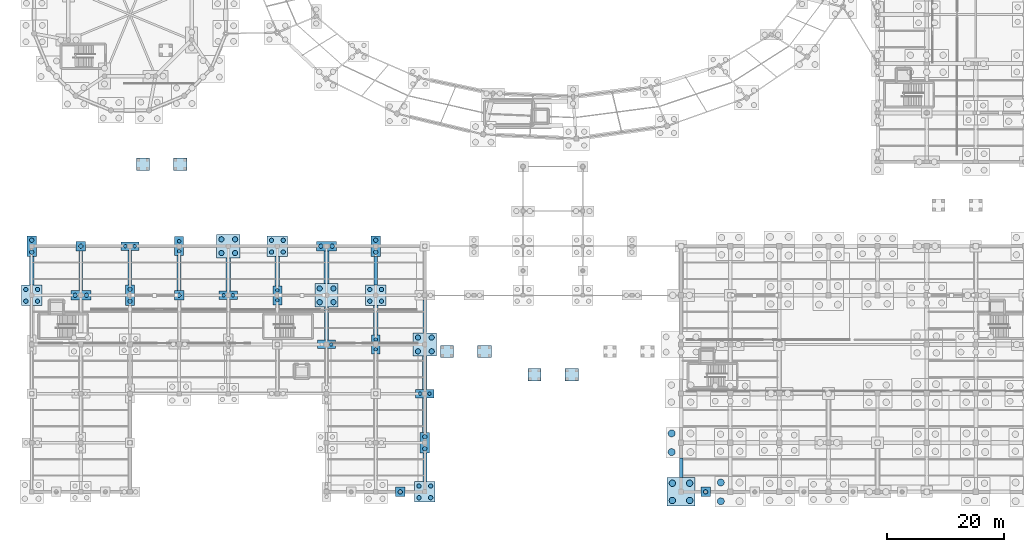
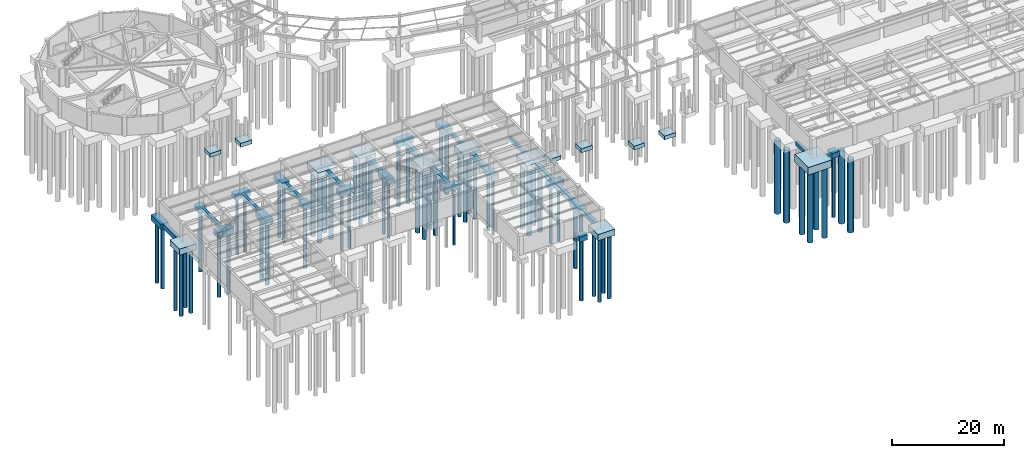
# One storey, part 2 of 38: 65 piles, 46 footings.
"""IFC4 building model written with IfcOpenShell, lengths in metres."""

import ifcopenshell
import ifcopenshell.guid

model = None  # the IFC model being written
_history = None  # IfcOwnerHistory: only IFC2X3 demands one
_inside = {}  # id of a spatial element -> (the spatial element, [elements in it])
_under = {}  # id of a project, library or spatial element -> (it, [spatial elements below it])
_declared = {}  # id of a project -> (the project, [libraries it declares])
_typed = {}  # id of a type object -> (the type object, [elements of that type])
_made_of = {}  # id of a material, layer set ... -> (it, [elements and type objects made of it])


def new_model(schema):
    """Start an empty IFC model of exactly this schema.

    Asked for "IFC4X3", IfcOpenShell would pick the latest addendum, in which some entities
    have other attributes; the version numbers below select the first issue.
    IFC2X3 requires an IfcOwnerHistory on every rooted entity: one is made here for all.
    """
    global model, _history
    if schema == "IFC4X3":
        model = ifcopenshell.file(schema_version=(4, 3, 0, 0))
    else:
        model = ifcopenshell.file(schema=schema)
    _inside.clear()
    _under.clear()
    _declared.clear()
    _typed.clear()
    _made_of.clear()
    _history = None
    if model.schema == "IFC2X3":
        org = make("IfcOrganization", Name="unknown")
        user = make(
            "IfcPersonAndOrganization",
            ThePerson=make("IfcPerson", FamilyName="unknown"),
            TheOrganization=org,
        )
        app = make(
            "IfcApplication",
            ApplicationDeveloper=org,
            Version="unknown",
            ApplicationFullName="unknown",
            ApplicationIdentifier="unknown",
        )
        _history = make(
            "IfcOwnerHistory",
            OwningUser=user,
            OwningApplication=app,
            ChangeAction="ADDED",
            CreationDate=0,
        )
    return model


def make(cls, **values):
    """One entity of the class cls with the attributes given. An attribute that is None is left unset."""
    return model.create_entity(
        cls, **{name: value for name, value in values.items() if value is not None}
    )


def rooted(cls, **values):
    """An entity with a GlobalId (a new one), such as an element, a storey or a relation."""
    return make(cls, GlobalId=ifcopenshell.guid.new(), OwnerHistory=_history, **values)


def si_unit(unit_type, name, prefix=None):
    """IfcSIUnit, for example si_unit("LENGTHUNIT", "METRE", prefix="MILLI")."""
    return make("IfcSIUnit", UnitType=unit_type, Prefix=prefix, Name=name)


def assignment(units):
    """IfcUnitAssignment: the units of a project."""
    return None if units is None else make("IfcUnitAssignment", Units=units)


def point(xyz):
    """IfcCartesianPoint."""
    return None if xyz is None else make("IfcCartesianPoint", Coordinates=xyz)


def direction(xyz):
    """IfcDirection."""
    return None if xyz is None else make("IfcDirection", DirectionRatios=xyz)


def frame(location, z_axis=None, x_axis=None):
    """IfcAxis2Placement3D, a coordinate frame: its origin and axes. An axis left out is left unset."""
    return make(
        "IfcAxis2Placement3D",
        Location=point(location),
        Axis=direction(z_axis),
        RefDirection=direction(x_axis),
    )


def frame_2d(location, x_axis=None):
    """IfcAxis2Placement2D, a coordinate frame in the plane: its origin and x axis."""
    return make(
        "IfcAxis2Placement2D", Location=point(location), RefDirection=direction(x_axis)
    )


def origin():
    """The frame at (0, 0, 0) with its axes left unset."""
    return frame((0.0, 0.0, 0.0))


def origin_2d():
    """The frame at (0, 0) in the plane with its x axis left unset."""
    return frame_2d((0.0, 0.0))


def place(relative_to, where):
    """IfcLocalPlacement: puts the frame where relative to a parent placement (None: the world)."""
    return make(
        "IfcLocalPlacement", PlacementRelTo=relative_to, RelativePlacement=where
    )


def context(
    kind, dimensions, precision=None, world=None, true_north=None, identifier=None
):
    """IfcGeometricRepresentationContext, for example the 3D "Model" context."""
    return make(
        "IfcGeometricRepresentationContext",
        ContextIdentifier=identifier,
        ContextType=kind,
        CoordinateSpaceDimension=dimensions,
        Precision=precision,
        WorldCoordinateSystem=world,
        TrueNorth=true_north,
    )


def subcontext(parent, identifier, kind, view, scale=None):
    """IfcGeometricRepresentationSubContext, for example "Body" below "Model"."""
    return make(
        "IfcGeometricRepresentationSubContext",
        ContextIdentifier=identifier,
        ContextType=kind,
        ParentContext=parent,
        TargetScale=scale,
        TargetView=view,
    )


def project(units=None, contexts=None):
    """IfcProject with its units and contexts."""
    return rooted(
        "IfcProject",
        Name="project",
        RepresentationContexts=contexts,
        UnitsInContext=assignment(units),
    )


def spatial(cls, under=None, at=None, **own):
    """A site, building, storey or space (cls), placed at a placement, below another one or the project."""
    s = rooted(cls, ObjectPlacement=at, **own)
    if under is not None:
        _under.setdefault(under.id(), (under, []))[1].append(s)
    return s


def polyline(points):
    """IfcPolyline through the points."""
    return make("IfcPolyline", Points=[point(p) for p in points])


def profile(cls, at=None, kind="AREA", **sizes):
    """A parametric profile (cls). Its sizes go by their IFC names, for example OverallWidth=200.0."""
    return make(cls, ProfileType=kind, Position=at, **sizes)


def rectangle(**sizes):
    """IfcRectangleProfileDef."""
    return profile("IfcRectangleProfileDef", **sizes)


def circle(**sizes):
    """IfcCircleProfileDef."""
    return profile("IfcCircleProfileDef", **sizes)


def outline(outer, holes=None, kind="AREA"):
    """IfcArbitraryClosedProfileDef: a profile drawn as a closed curve; with holes, ...WithVoids."""
    if holes is None:
        return make("IfcArbitraryClosedProfileDef", ProfileType=kind, OuterCurve=outer)
    return make(
        "IfcArbitraryProfileDefWithVoids",
        ProfileType=kind,
        OuterCurve=outer,
        InnerCurves=holes,
    )


def extrude(swept, where, along, depth):
    """IfcExtrudedAreaSolid: the profile swept, set in the frame where, extruded along a direction by depth."""
    return make(
        "IfcExtrudedAreaSolid",
        SweptArea=swept,
        Position=where,
        ExtrudedDirection=direction(along),
        Depth=depth,
    )


def shape(context_of_items, identifier, shape_type, items):
    """IfcShapeRepresentation: the items that make up one representation, for example the "Body"."""
    return make(
        "IfcShapeRepresentation",
        ContextOfItems=context_of_items,
        RepresentationIdentifier=identifier,
        RepresentationType=shape_type,
        Items=items,
    )


def material(Name=None, Category=None):
    """IfcMaterial."""
    return make("IfcMaterial", Name=Name, Category=Category)


def material_profile(
    of_material, cross_section, Name=None, Category=None, Priority=None
):
    """IfcMaterialProfile: a cross section and its material."""
    return make(
        "IfcMaterialProfile",
        Name=Name,
        Material=of_material,
        Profile=cross_section,
        Priority=Priority,
        Category=Category,
    )


def profile_set(profiles, Name=None, composite=None):
    """IfcMaterialProfileSet."""
    return make(
        "IfcMaterialProfileSet",
        Name=Name,
        MaterialProfiles=profiles,
        CompositeProfile=composite,
    )


def made_of(thing, what):
    """Note that an element or type object is made of a material, layer set ...; save() writes the relation."""
    if what is not None:
        _made_of.setdefault(what.id(), (what, []))[1].append(thing)
    return thing


def type_object(cls, material=None, **own):
    """A type object (cls), such as IfcWallType, which elements share."""
    return made_of(rooted(cls, **own), material)


def element(
    cls,
    number,
    at=None,
    inside=None,
    cuts=None,
    type_object=None,
    material=None,
    context=None,
    identifier="Body",
    shape_type=None,
    held_by="IfcProductDefinitionShape",
    body=None,
    shapes=None,
    **own,
):
    """One element of the class cls, such as IfcWall. Its Tag is "e" and its number.

    at: its placement. inside: the storey or other place that contains it. cuts: it is an
    opening in that element (IfcRelVoidsElement). A single representation is given by context,
    identifier, shape_type and body (its items); several are given by shapes. held_by: the class
    of the entity that holds the representations. save() writes the other relations.
    """
    e = rooted(cls, Tag="e%d" % number, ObjectPlacement=at, **own)
    if body is not None:
        shapes = [shape(context, identifier, shape_type, body)]
    if shapes is not None:
        e.Representation = make(held_by, Representations=shapes)
    if inside is not None:
        _inside.setdefault(inside.id(), (inside, []))[1].append(e)
    if cuts is not None:
        rooted(
            "IfcRelVoidsElement", RelatingBuildingElement=cuts, RelatedOpeningElement=e
        )
    if type_object is not None:
        _typed.setdefault(type_object.id(), (type_object, []))[1].append(e)
    return made_of(e, material)


def aggregate(whole, parts):
    """IfcRelAggregates: a whole, such as a stair, and the parts it consists of."""
    return rooted("IfcRelAggregates", RelatingObject=whole, RelatedObjects=parts)


def save(model, path):
    """Write the relations noted so far, then the file.

    IfcRelAggregates (storeys below a building ...), IfcRelContainedInSpatialStructure (elements
    in a storey), IfcRelDefinesByType, IfcRelAssociatesMaterial and IfcRelDeclares: one each for
    every whole, place, type object, material and project.
    """
    for whole, parts in _under.values():
        aggregate(whole, parts)
    for where, things in _inside.values():
        rooted(
            "IfcRelContainedInSpatialStructure",
            RelatedElements=things,
            RelatingStructure=where,
        )
    for kind, things in _typed.values():
        rooted("IfcRelDefinesByType", RelatedObjects=things, RelatingType=kind)
    for what, things in _made_of.values():
        rooted("IfcRelAssociatesMaterial", RelatedObjects=things, RelatingMaterial=what)
    for by, libraries in _declared.values():
        rooted("IfcRelDeclares", RelatingContext=by, RelatedDefinitions=libraries)
    model.write(path)


model = new_model("IFC4")

# Units and contexts
model_context = context("Model", 3, precision=1e-05, world=origin(), true_north=direction((0.0, 1.0)))
body_context = subcontext(model_context, "Body", "Model", "MODEL_VIEW")
ifc_project = project(units=[si_unit("LENGTHUNIT", "METRE"), si_unit("AREAUNIT", "SQUARE_METRE"), si_unit("VOLUMEUNIT", "CUBIC_METRE"), si_unit("PLANEANGLEUNIT", "RADIAN"), si_unit("MASSUNIT", "GRAM", prefix="KILO"), si_unit("THERMODYNAMICTEMPERATUREUNIT", "KELVIN"), si_unit("POWERUNIT", "WATT")], contexts=[model_context])

# Site, building, storey
site_placement = place(None, origin())
site = spatial("IfcSite", under=ifc_project, at=site_placement, CompositionType="ELEMENT")
building_placement = place(site_placement, origin())
building = spatial("IfcBuilding", under=site, at=building_placement, Name="Darbajah Civic Hall", CompositionType="ELEMENT")
storey_placement = place(building_placement, frame((0.0, 0.0, -4.199951171875)))
storey = spatial("IfcBuildingStorey", under=building, at=storey_placement, Name="B01", CompositionType="ELEMENT", Elevation=-4.199951171875)

# Piles
ifc_material = material(Name="Concrete C45/55", Category="concrete")
ifc_material_profile_1 = material_profile(ifc_material, circle(Radius=0.550048828125, at=origin_2d()), Name="BORED PILE D1100")
ifc_profile_set_1 = profile_set([ifc_material_profile_1], Name="Concrete C45/55")
pile_type_1 = type_object("IfcPileType", Name="BORED PILE D1100", PredefinedType="BORED", material=ifc_profile_set_1)
for number, where, z_axis, x_axis, name in (
    (1, (109.52490234375, -1.47509765625, -1.550048828125), (0.0, 0.0, -1.0), (1.0, 0.0, 0.0), "B01 bored pile P-1100 V3-00-00-1"),
    (2, (112.47509765625, -1.47509765625, -1.550048828125), (0.0, 0.0, -1.0), (1.0, 0.0, 0.0), "B01 bored pile P-1100 V3-00-00-2"),
    (3, (109.52490234375, 1.47509765625, -1.550048828125), (0.0, 0.0, -1.0), (1.0, 0.0, 0.0), "B01 bored pile P-1100 V3-00-00-3"),
    (4, (112.47509765625, 1.47509765625, -1.550048828125), (0.0, 0.0, -1.0), (1.0, 0.0, 0.0), "B01 bored pile P-1100 V3-00-00-4"),
):
    element("IfcPile", number, at=place(storey_placement, frame(where, z_axis=z_axis, x_axis=x_axis)), inside=storey, type_object=pile_type_1, Name=name, PredefinedType="BORED", context=body_context, shape_type="SweptSolid", body=[
        extrude(circle(Radius=0.550048828125, at=origin_2d()), origin(), (0.0, 0.0, 1.0), 15.5),
    ])
ifc_material_profile_2 = material_profile(ifc_material, circle(Radius=0.60009765625, at=origin_2d()), Name="BORED PILE D1200")
ifc_profile_set_2 = profile_set([ifc_material_profile_2], Name="Concrete C45/55")
pile_type_2 = type_object("IfcPileType", Name="BORED PILE D1200", PredefinedType="BORED", material=ifc_profile_set_2)
for number, where, z_axis, x_axis, name in (
    (5, (109.39990234375, 6.800048828125, -1.650146484375), (0.0, 0.0, -1.0), (1.0, 0.0, 0.0), "B01 bored pile P-1200 V3-00-01-1"),
    (6, (109.39990234375, 10.0, -1.650146484375), (0.0, 0.0, -1.0), (1.0, 0.0, 0.0), "B01 bored pile P-1200 V3-00-01-3"),
    (7, (117.800048828125, -1.60009765625, -1.650146484375), (0.0, 0.0, -1.0), (1.0, 0.0, 0.0), "B01 bored pile P-1200 V3-01-00-1"),
    (8, (117.800048828125, 1.60009765625, -1.650146484375), (0.0, 0.0, -1.0), (1.0, 0.0, 0.0), "B01 bored pile P-1200 V3-01-00-3"),
):
    element("IfcPile", number, at=place(storey_placement, frame(where, z_axis=z_axis, x_axis=x_axis)), inside=storey, type_object=pile_type_2, Name=name, PredefinedType="BORED", context=body_context, shape_type="SweptSolid", body=[
        extrude(circle(Radius=0.60009765625, at=origin_2d()), origin(), (0.0, 0.0, 1.0), 16.0),
    ])
ifc_material_profile_3 = material_profile(ifc_material, circle(Radius=0.300048828125, at=origin_2d()), Name="BORED PILE D600")
ifc_profile_set_3 = profile_set([ifc_material_profile_3], Name="Concrete C45/55")
pile_type_3 = type_object("IfcPileType", Name="BORED PILE D600", PredefinedType="BORED", material=ifc_profile_set_3)
for number, where, z_axis, x_axis, name in (
    (9, (16.0, 42.0, -0.949951171875), (0.0, 0.0, -1.0), (1.0, 0.0, 0.0), "B01 bored pile P-600 V5-02-05-1"),
    (10, (17.60009765625, 42.0, -0.949951171875), (0.0, 0.0, -1.0), (1.0, 0.0, 0.0), "B01 bored pile P-600 V5-02-05-2"),
    (11, (25.199951171875, 41.14990234375, -1.0), (0.0, 0.0, -1.0), (1.0, 0.0, 0.0), "B01 bored pile P-600 V5-03-05-1"),
    (12, (25.199951171875, 42.85009765625, -1.0), (0.0, 0.0, -1.0), (1.0, 0.0, 0.0), "B01 bored pile P-600 V5-03-05-2"),
    (13, (32.800048828125, 33.60009765625, -0.949951171875), (0.0, 0.0, -1.0), (1.0, 0.0, 0.0), "B01 bored pile P-600 V5-04-04-1"),
    (14, (34.39990234375, 33.60009765625, -0.949951171875), (0.0, 0.0, -1.0), (1.0, 0.0, 0.0), "B01 bored pile P-600 V5-04-04-2"),
    (15, (42.0, 32.75, -1.0), (0.0, 0.0, -1.0), (1.0, 0.0, 0.0), "B01 bored pile P-600 V5-05-04-1"),
    (16, (42.0, 34.449951171875, -1.0), (0.0, 0.0, -1.0), (1.0, 0.0, 0.0), "B01 bored pile P-600 V5-05-04-2"),
    (17, (51.199951171875, 25.199951171875, -0.949951171875), (0.0, 0.0, -1.0), (1.0, 0.0, 0.0), "B01 bored pile P-600 V5-06-03-2"),
    (18, (58.800048828125, 24.35009765625, -1.0), (0.0, 0.0, -1.0), (1.0, 0.0, 0.0), "B01 bored pile P-600 V5-07-03-1"),
    (19, (58.800048828125, 26.050048828125, -1.0), (0.0, 0.0, -1.0), (1.0, 0.0, 0.0), "B01 bored pile P-600 V5-07-03-2"),
    (20, (66.39990234375, 16.800048828125, -0.949951171875), (0.0, 0.0, -1.0), (1.0, 0.0, 0.0), "B01 bored pile P-600 V5-08-02-1"),
    (21, (68.0, 16.800048828125, -0.949951171875), (0.0, 0.0, -1.0), (1.0, 0.0, 0.0), "B01 bored pile P-600 V5-08-02-2"),
):
    element("IfcPile", number, at=place(storey_placement, frame(where, z_axis=z_axis, x_axis=x_axis)), inside=storey, type_object=pile_type_3, Name=name, PredefinedType="BORED", context=body_context, shape_type="SweptSolid", body=[
        extrude(circle(Radius=0.300048828125, at=origin_2d()), origin(), (0.0, 0.0, 1.0), 12.5),
    ])
ifc_material_profile_4 = material_profile(ifc_material, circle(Radius=0.375, at=origin_2d()), Name="BORED PILE D750")
ifc_profile_set_4 = profile_set([ifc_material_profile_4], Name="Concrete C45/55")
pile_type_4 = type_object("IfcPileType", Name="BORED PILE D750", PredefinedType="BORED", material=ifc_profile_set_4)
for number, where, z_axis, x_axis, name in (
    (22, (-1.0, 32.60009765625, -1.25), (0.0, 0.0, -1.0), (1.0, 0.0, 0.0), "B01 bored pile P-750 V5-00-04-1"),
    (23, (1.0, 32.60009765625, -1.25), (0.0, 0.0, -1.0), (1.0, 0.0, 0.0), "B01 bored pile P-750 V5-00-04-2"),
    (24, (-1.0, 34.60009765625, -1.25), (0.0, 0.0, -1.0), (1.0, 0.0, 0.0), "B01 bored pile P-750 V5-00-04-3"),
    (25, (1.0, 34.60009765625, -1.25), (0.0, 0.0, -1.0), (1.0, 0.0, 0.0), "B01 bored pile P-750 V5-00-04-4"),
):
    element("IfcPile", number, at=place(storey_placement, frame(where, z_axis=z_axis, x_axis=x_axis)), inside=storey, type_object=pile_type_4, Name=name, PredefinedType="BORED", context=body_context, shape_type="SweptSolid", body=[
        extrude(circle(Radius=0.375, at=origin_2d()), origin(), (0.0, 0.0, 1.0), 14.0),
    ])
for number, where, z_axis, x_axis, name in (
    (26, (0.0, 40.97509765625, -1.150146484375), (0.0, 0.0, -1.0), (1.0, 0.0, 0.0), "B01 bored pile P-750 V5-00-05-1"),
    (27, (0.0, 43.02490234375, -1.150146484375), (0.0, 0.0, -1.0), (1.0, 0.0, 0.0), "B01 bored pile P-750 V5-00-05-2"),
    (28, (7.425048828125, 33.60009765625, -1.10009765625), (0.0, 0.0, -1.0), (1.0, 0.0, 0.0), "B01 bored pile P-750 V5-01-04-1"),
    (29, (9.375, 33.60009765625, -1.10009765625), (0.0, 0.0, -1.0), (1.0, 0.0, 0.0), "B01 bored pile P-750 V5-01-04-2"),
    (30, (8.39990234375, 42.0, -1.0), (0.0, 0.0, -1.0), (1.0, 0.0, 0.0), "B01 bored pile P-750 V5-01-05-1"),
    (31, (16.800048828125, 32.574951171875, -1.150146484375), (0.0, 0.0, -1.0), (1.0, 0.0, 0.0), "B01 bored pile P-750 V5-02-04-1"),
    (32, (16.800048828125, 34.625, -1.150146484375), (0.0, 0.0, -1.0), (1.0, 0.0, 0.0), "B01 bored pile P-750 V5-02-04-2"),
    (33, (25.199951171875, 33.60009765625, -1.0), (0.0, 0.0, -1.0), (1.0, 0.0, 0.0), "B01 bored pile P-750 V5-03-04-1"),
):
    element("IfcPile", number, at=place(storey_placement, frame(where, z_axis=z_axis, x_axis=x_axis)), inside=storey, type_object=pile_type_4, Name=name, PredefinedType="BORED", context=body_context, shape_type="SweptSolid", body=[
        extrude(circle(Radius=0.375, at=origin_2d()), origin(), (0.0, 0.0, 1.0), 13.5),
    ])
for number, where, z_axis, x_axis, name in (
    (34, (41.0, 41.0, -1.25), (0.0, 0.0, -1.0), (1.0, 0.0, 0.0), "B01 bored pile P-750 V5-05-05-1"),
    (35, (43.0, 41.0, -1.25), (0.0, 0.0, -1.0), (1.0, 0.0, 0.0), "B01 bored pile P-750 V5-05-05-2"),
    (36, (41.0, 43.0, -1.25), (0.0, 0.0, -1.0), (1.0, 0.0, 0.0), "B01 bored pile P-750 V5-05-05-3"),
    (37, (43.0, 43.0, -1.25), (0.0, 0.0, -1.0), (1.0, 0.0, 0.0), "B01 bored pile P-750 V5-05-05-4"),
):
    element("IfcPile", number, at=place(storey_placement, frame(where, z_axis=z_axis, x_axis=x_axis)), inside=storey, type_object=pile_type_4, Name=name, PredefinedType="BORED", context=body_context, shape_type="SweptSolid", body=[
        extrude(circle(Radius=0.375, at=origin_2d()), origin(), (0.0, 0.0, 1.0), 14.0),
    ])
for number, where, z_axis, x_axis, name in (
    (38, (49.425048828125, 42.0, -1.10009765625), (0.0, 0.0, -1.0), (1.0, 0.0, 0.0), "B01 bored pile P-750 V5-06-05-1"),
    (39, (51.375, 42.0, -1.10009765625), (0.0, 0.0, -1.0), (1.0, 0.0, 0.0), "B01 bored pile P-750 V5-06-05-2"),
):
    element("IfcPile", number, at=place(storey_placement, frame(where, z_axis=z_axis, x_axis=x_axis)), inside=storey, type_object=pile_type_4, Name=name, PredefinedType="BORED", context=body_context, shape_type="SweptSolid", body=[
        extrude(circle(Radius=0.375, at=origin_2d()), origin(), (0.0, 0.0, 1.0), 13.5),
    ])
for number, where, z_axis, x_axis, name in (
    (40, (57.800048828125, 32.60009765625, -1.25), (0.0, 0.0, -1.0), (1.0, 0.0, 0.0), "B01 bored pile P-750 V5-07-04-1"),
    (41, (59.800048828125, 32.60009765625, -1.25), (0.0, 0.0, -1.0), (1.0, 0.0, 0.0), "B01 bored pile P-750 V5-07-04-2"),
    (42, (57.800048828125, 34.60009765625, -1.25), (0.0, 0.0, -1.0), (1.0, 0.0, 0.0), "B01 bored pile P-750 V5-07-04-3"),
    (43, (59.800048828125, 34.60009765625, -1.25), (0.0, 0.0, -1.0), (1.0, 0.0, 0.0), "B01 bored pile P-750 V5-07-04-4"),
):
    element("IfcPile", number, at=place(storey_placement, frame(where, z_axis=z_axis, x_axis=x_axis)), inside=storey, type_object=pile_type_4, Name=name, PredefinedType="BORED", context=body_context, shape_type="SweptSolid", body=[
        extrude(circle(Radius=0.375, at=origin_2d()), origin(), (0.0, 0.0, 1.0), 14.0),
    ])
for number, where, z_axis, x_axis, name in (
    (44, (58.800048828125, 40.97509765625, -1.150146484375), (0.0, 0.0, -1.0), (1.0, 0.0, 0.0), "B01 bored pile P-750 V5-07-05-1"),
    (45, (58.800048828125, 43.02490234375, -1.150146484375), (0.0, 0.0, -1.0), (1.0, 0.0, 0.0), "B01 bored pile P-750 V5-07-05-2"),
):
    element("IfcPile", number, at=place(storey_placement, frame(where, z_axis=z_axis, x_axis=x_axis)), inside=storey, type_object=pile_type_4, Name=name, PredefinedType="BORED", context=body_context, shape_type="SweptSolid", body=[
        extrude(circle(Radius=0.375, at=origin_2d()), origin(), (0.0, 0.0, 1.0), 13.5),
    ])
for number, where, z_axis, x_axis, name in (
    (46, (66.199951171875, -1.0, -1.25), (0.0, 0.0, -1.0), (1.0, 0.0, 0.0), "B01 bored pile P-750 V5-08-00-1"),
    (47, (68.199951171875, -1.0, -1.25), (0.0, 0.0, -1.0), (1.0, 0.0, 0.0), "B01 bored pile P-750 V5-08-00-2"),
    (48, (66.199951171875, 1.0, -1.25), (0.0, 0.0, -1.0), (1.0, 0.0, 0.0), "B01 bored pile P-750 V5-08-00-3"),
    (49, (68.199951171875, 1.0, -1.25), (0.0, 0.0, -1.0), (1.0, 0.0, 0.0), "B01 bored pile P-750 V5-08-00-4"),
):
    element("IfcPile", number, at=place(storey_placement, frame(where, z_axis=z_axis, x_axis=x_axis)), inside=storey, type_object=pile_type_4, Name=name, PredefinedType="BORED", context=body_context, shape_type="SweptSolid", body=[
        extrude(circle(Radius=0.375, at=origin_2d()), origin(), (0.0, 0.0, 1.0), 14.0),
    ])
for number, where, z_axis, x_axis, name in (
    (50, (67.199951171875, 7.375, -1.150146484375), (0.0, 0.0, -1.0), (1.0, 0.0, 0.0), "B01 bored pile P-750 V5-08-01-1"),
    (51, (67.199951171875, 9.425048828125, -1.150146484375), (0.0, 0.0, -1.0), (1.0, 0.0, 0.0), "B01 bored pile P-750 V5-08-01-2"),
    (52, (115.199951171875, 0.0, -1.0), (0.0, 0.0, -1.0), (1.0, 0.0, 0.0), "B01 bored pile PIL-V3S-1"),
    (53, (63.0, 0.0, -1.0), (0.0, 0.0, -1.0), (1.0, 0.0, 0.0), "B01 bored pile PIL-V5S-4"),
):
    element("IfcPile", number, at=place(storey_placement, frame(where, z_axis=z_axis, x_axis=x_axis)), inside=storey, type_object=pile_type_4, Name=name, PredefinedType="BORED", context=body_context, shape_type="SweptSolid", body=[
        extrude(circle(Radius=0.375, at=origin_2d()), origin(), (0.0, 0.0, 1.0), 13.5),
    ])
ifc_material_profile_5 = material_profile(ifc_material, circle(Radius=0.449951171875, at=origin_2d()), Name="BORED PILE D900")
ifc_profile_set_5 = profile_set([ifc_material_profile_5], Name="Concrete C45/55")
pile_type_5 = type_object("IfcPileType", Name="BORED PILE D900", PredefinedType="BORED", material=ifc_profile_set_5)
for number, where, z_axis, x_axis, name in (
    (54, (32.425048828125, 40.824951171875, -1.35009765625), (0.0, 0.0, -1.0), (1.0, 0.0, 0.0), "B01 bored pile P-900 V5-04-05-1"),
    (55, (34.77490234375, 40.824951171875, -1.35009765625), (0.0, 0.0, -1.0), (1.0, 0.0, 0.0), "B01 bored pile P-900 V5-04-05-2"),
    (56, (32.425048828125, 43.175048828125, -1.35009765625), (0.0, 0.0, -1.0), (1.0, 0.0, 0.0), "B01 bored pile P-900 V5-04-05-3"),
    (57, (34.77490234375, 43.175048828125, -1.35009765625), (0.0, 0.0, -1.0), (1.0, 0.0, 0.0), "B01 bored pile P-900 V5-04-05-4"),
    (58, (49.22509765625, 32.425048828125, -1.35009765625), (0.0, 0.0, -1.0), (1.0, 0.0, 0.0), "B01 bored pile P-900 V5-06-04-1"),
    (59, (51.574951171875, 32.425048828125, -1.35009765625), (0.0, 0.0, -1.0), (1.0, 0.0, 0.0), "B01 bored pile P-900 V5-06-04-2"),
    (60, (49.22509765625, 34.77490234375, -1.35009765625), (0.0, 0.0, -1.0), (1.0, 0.0, 0.0), "B01 bored pile P-900 V5-06-04-3"),
    (61, (51.574951171875, 34.77490234375, -1.35009765625), (0.0, 0.0, -1.0), (1.0, 0.0, 0.0), "B01 bored pile P-900 V5-06-04-4"),
    (62, (66.02490234375, 24.02490234375, -1.35009765625), (0.0, 0.0, -1.0), (1.0, 0.0, 0.0), "B01 bored pile P-900 V5-08-03-1"),
    (63, (68.375, 24.02490234375, -1.35009765625), (0.0, 0.0, -1.0), (1.0, 0.0, 0.0), "B01 bored pile P-900 V5-08-03-2"),
    (64, (66.02490234375, 26.375, -1.35009765625), (0.0, 0.0, -1.0), (1.0, 0.0, 0.0), "B01 bored pile P-900 V5-08-03-3"),
    (65, (68.375, 26.375, -1.35009765625), (0.0, 0.0, -1.0), (1.0, 0.0, 0.0), "B01 bored pile P-900 V5-08-03-4"),
):
    element("IfcPile", number, at=place(storey_placement, frame(where, z_axis=z_axis, x_axis=x_axis)), inside=storey, type_object=pile_type_5, Name=name, PredefinedType="BORED", context=body_context, shape_type="SweptSolid", body=[
        extrude(circle(Radius=0.449951171875, at=origin_2d()), origin(), (0.0, 0.0, 1.0), 14.5),
    ])

# Footings
footing_type_1 = type_object("IfcFootingType", Name="Ground Strip Footing 550x800", PredefinedType="STRIP_FOOTING", material=ifc_material)
footing_1_placement = place(storey_placement, frame((0.0, 0.0, -0.800048828125)))
element("IfcFooting", 66, at=footing_1_placement, inside=storey, type_object=footing_type_1, Name="B01 ground strip footing SF-06", PredefinedType="STRIP_FOOTING", context=body_context, shape_type="SweptSolid", body=[
    extrude(outline(polyline([(8.675048828125, 34.405029296875), (8.675048828125, 41.195068359375), (8.125, 41.195068359375), (8.125, 34.405029296875), (8.675048828125, 34.405029296875)])), origin(), (0.0, 0.0, 1.0), 0.800048828125),
])
footing_2_placement = place(storey_placement, frame((0.0, 0.0, -0.800048828125)))
element("IfcFooting", 67, at=footing_2_placement, inside=storey, type_object=footing_type_1, Name="B01 ground strip footing SF-06", PredefinedType="STRIP_FOOTING", context=body_context, shape_type="SweptSolid", body=[
    extrude(outline(polyline([(59.074951171875, 35.35498046875), (59.074951171875, 40.219970703125), (58.52490234375, 40.219970703125), (58.52490234375, 35.35498046875), (59.074951171875, 35.35498046875)])), origin(), (0.0, 0.0, 1.0), 0.800048828125),
])
footing_3_placement = place(storey_placement, frame((0.0, 0.0, -0.800048828125)))
element("IfcFooting", 68, at=footing_3_placement, inside=storey, type_object=footing_type_1, Name="B01 ground strip footing SF-06", PredefinedType="STRIP_FOOTING", context=body_context, shape_type="SweptSolid", body=[
    extrude(outline(polyline([(67.47509765625, 27.205078125), (67.47509765625, 32.794921875), (66.925048828125, 32.794921875), (66.925048828125, 27.205078125), (67.47509765625, 27.205078125)])), origin(), (0.0, 0.0, 1.0), 0.800048828125),
])
footing_4_placement = place(storey_placement, frame((0.0, 0.0, -0.85009765625)))
element("IfcFooting", 69, at=footing_4_placement, inside=storey, type_object=footing_type_1, Name="B01 ramp RMP-S1 BOT foundation", PredefinedType="STRIP_FOOTING", context=body_context, shape_type="SweptSolid", body=[
    extrude(outline(polyline([(69.89990234375, 22.949951171875), (72.10009765625, 22.949951171875), (72.10009765625, 25.050048828125), (69.89990234375, 25.050048828125), (69.89990234375, 22.949951171875)])), origin(), (0.0, 0.0, 1.0), 0.85009765625),
])
footing_5_placement = place(storey_placement, frame((0.0, 0.0, -0.85009765625)))
element("IfcFooting", 70, at=footing_5_placement, inside=storey, type_object=footing_type_1, Name="B01 ramp RMP-S1 TOP foundation", PredefinedType="STRIP_FOOTING", context=body_context, shape_type="SweptSolid", body=[
    extrude(outline(polyline([(76.219970703125, 22.949951171875), (78.570068359375, 22.949951171875), (78.570068359375, 25.050048828125), (76.219970703125, 25.050048828125), (76.219970703125, 22.949951171875)])), origin(), (0.0, 0.0, 1.0), 0.85009765625),
])
footing_6_placement = place(storey_placement, frame((0.0, 0.0, -0.85009765625)))
element("IfcFooting", 71, at=footing_6_placement, inside=storey, type_object=footing_type_1, Name="B01 ramp RMP-S3 BOT foundation", PredefinedType="STRIP_FOOTING", context=body_context, shape_type="SweptSolid", body=[
    extrude(outline(polyline([(84.840087890625, 18.949951171875), (87.0400390625, 18.949951171875), (87.0400390625, 21.050048828125), (84.840087890625, 21.050048828125), (84.840087890625, 18.949951171875)])), origin(), (0.0, 0.0, 1.0), 0.85009765625),
])
footing_7_placement = place(storey_placement, frame((0.0, 0.0, -0.85009765625)))
element("IfcFooting", 72, at=footing_7_placement, inside=storey, type_object=footing_type_1, Name="B01 ramp RMP-S3 TOP foundation", PredefinedType="STRIP_FOOTING", context=body_context, shape_type="SweptSolid", body=[
    extrude(outline(polyline([(91.159912109375, 18.949951171875), (93.510009765625, 18.949951171875), (93.510009765625, 21.050048828125), (91.159912109375, 21.050048828125), (91.159912109375, 18.949951171875)])), origin(), (0.0, 0.0, 1.0), 0.85009765625),
])
footing_8_placement = place(storey_placement, frame((0.0, 0.0, -0.85009765625)))
element("IfcFooting", 73, at=footing_8_placement, inside=storey, type_object=footing_type_1, Name="B01 ramp RMP-W1 BOT foundation", PredefinedType="STRIP_FOOTING", context=body_context, shape_type="SweptSolid", body=[
    extrude(outline(polyline([(17.89990234375, 54.949951171875), (20.10009765625, 54.949951171875), (20.10009765625, 57.050048828125), (17.89990234375, 57.050048828125), (17.89990234375, 54.949951171875)])), origin(), (0.0, 0.0, 1.0), 0.85009765625),
])
footing_9_placement = place(storey_placement, frame((0.0, 0.0, -0.85009765625)))
element("IfcFooting", 74, at=footing_9_placement, inside=storey, type_object=footing_type_1, Name="B01 ramp RMP-W1 TOP foundation", PredefinedType="STRIP_FOOTING", context=body_context, shape_type="SweptSolid", body=[
    extrude(outline(polyline([(24.219970703125, 54.949951171875), (26.570068359375, 54.949951171875), (26.570068359375, 57.050048828125), (24.219970703125, 57.050048828125), (24.219970703125, 54.949951171875)])), origin(), (0.0, 0.0, 1.0), 0.85009765625),
])
footing_type_2 = type_object("IfcFootingType", Name="Ground Strip Footing 600x850", PredefinedType="STRIP_FOOTING", material=ifc_material)
footing_10_placement = place(storey_placement, frame((0.0, 0.0, -0.85009765625)))
element("IfcFooting", 75, at=footing_10_placement, inside=storey, type_object=footing_type_2, Name="B01 ground strip footing SF-01", PredefinedType="STRIP_FOOTING", context=body_context, shape_type="SweptSolid", body=[
    extrude(outline(polyline([(111.300048828125, 2.429931640625), (111.300048828125, 5.794921875), (110.699951171875, 5.794921875), (110.699951171875, 2.429931640625), (111.300048828125, 2.429931640625)])), origin(), (0.0, 0.0, 1.0), 0.85009765625),
])
footing_11_placement = place(storey_placement, frame((0.0, 0.0, -0.85009765625)))
element("IfcFooting", 76, at=footing_11_placement, inside=storey, type_object=footing_type_2, Name="B01 ground strip footing SF-01", PredefinedType="STRIP_FOOTING", context=body_context, shape_type="SweptSolid", body=[
    extrude(outline(polyline([(17.10009765625, 35.3798828125), (17.10009765625, 41.27001953125), (16.5, 41.27001953125), (16.5, 35.3798828125), (17.10009765625, 35.3798828125)])), origin(), (0.0, 0.0, 1.0), 0.85009765625),
])
footing_type_3 = type_object("IfcFootingType", Name="Ground Strip Footing 650x900", PredefinedType="STRIP_FOOTING", material=ifc_material)
footing_12_placement = place(storey_placement, frame((0.0, 0.0, -0.900146484375)))
element("IfcFooting", 77, at=footing_12_placement, inside=storey, type_object=footing_type_3, Name="B01 ground strip footing SF-02", PredefinedType="STRIP_FOOTING", context=body_context, shape_type="SweptSolid", body=[
    extrude(outline(polyline([(25.52490234375, 34.405029296875), (25.52490234375, 40.3701171875), (24.875, 40.3701171875), (24.875, 34.405029296875), (25.52490234375, 34.405029296875)])), origin(), (0.0, 0.0, 1.0), 0.900146484375),
])
footing_type_4 = type_object("IfcFootingType", Name="Ground Strip Footing 700x950", PredefinedType="STRIP_FOOTING", material=ifc_material)
footing_13_placement = place(storey_placement, frame((0.0, 0.0, -0.949951171875)))
element("IfcFooting", 78, at=footing_13_placement, inside=storey, type_object=footing_type_4, Name="B01 ground strip footing SF-03", PredefinedType="STRIP_FOOTING", context=body_context, shape_type="SweptSolid", body=[
    extrude(outline(polyline([(33.949951171875, 34.330078125), (33.949951171875, 39.9951171875), (33.25, 39.9951171875), (33.25, 34.330078125), (33.949951171875, 34.330078125)])), origin(), (0.0, 0.0, 1.0), 0.949951171875),
])
footing_14_placement = place(storey_placement, frame((0.0, 0.0, -0.949951171875)))
element("IfcFooting", 79, at=footing_14_placement, inside=storey, type_object=footing_type_4, Name="B01 ground strip footing SF-03", PredefinedType="STRIP_FOOTING", context=body_context, shape_type="SweptSolid", body=[
    extrude(outline(polyline([(67.550048828125, 1.7548828125), (67.550048828125, 6.6201171875), (66.85009765625, 6.6201171875), (66.85009765625, 1.7548828125), (67.550048828125, 1.7548828125)])), origin(), (0.0, 0.0, 1.0), 0.949951171875),
])
footing_type_5 = type_object("IfcFootingType", Name="Ground Strip Footing 750x1000", PredefinedType="STRIP_FOOTING", material=ifc_material)
footing_15_placement = place(storey_placement, frame((0.0, 0.0, -1.0)))
element("IfcFooting", 80, at=footing_15_placement, inside=storey, type_object=footing_type_5, Name="B01 ground strip footing SF-04", PredefinedType="STRIP_FOOTING", context=body_context, shape_type="SweptSolid", body=[
    extrude(outline(polyline([(42.375, 35.22998046875), (42.375, 40.2451171875), (41.625, 40.2451171875), (41.625, 35.22998046875), (42.375, 35.22998046875)])), origin(), (0.0, 0.0, 1.0), 1.0),
])
footing_16_placement = place(storey_placement, frame((0.0, 0.0, -1.0)))
element("IfcFooting", 81, at=footing_16_placement, inside=storey, type_object=footing_type_5, Name="B01 ground strip footing SF-04", PredefinedType="STRIP_FOOTING", context=body_context, shape_type="SweptSolid", body=[
    extrude(outline(polyline([(50.77490234375, 25.929931640625), (50.77490234375, 31.594970703125), (50.02490234375, 31.594970703125), (50.02490234375, 25.929931640625), (50.77490234375, 25.929931640625)])), origin(), (0.0, 0.0, 1.0), 1.0),
])
footing_17_placement = place(storey_placement, frame((0.0, 0.0, -1.0)))
element("IfcFooting", 82, at=footing_17_placement, inside=storey, type_object=footing_type_5, Name="B01 ground strip footing SF-04", PredefinedType="STRIP_FOOTING", context=body_context, shape_type="SweptSolid", body=[
    extrude(outline(polyline([(67.574951171875, 10.179931640625), (67.574951171875, 16.070068359375), (66.824951171875, 16.070068359375), (66.824951171875, 10.179931640625), (67.574951171875, 10.179931640625)])), origin(), (0.0, 0.0, 1.0), 1.0),
])
footing_type_6 = type_object("IfcFootingType", Name="Ground Strip Footing 800x1050", PredefinedType="STRIP_FOOTING", material=ifc_material)
footing_18_placement = place(storey_placement, frame((0.0, 0.0, -1.050048828125)))
element("IfcFooting", 83, at=footing_18_placement, inside=storey, type_object=footing_type_6, Name="B01 ground strip footing SF-05", PredefinedType="STRIP_FOOTING", context=body_context, shape_type="SweptSolid", body=[
    extrude(outline(polyline([(0.39990234375, 35.35498046875), (0.39990234375, 40.219970703125), (-0.39990234375, 40.219970703125), (-0.39990234375, 35.35498046875), (0.39990234375, 35.35498046875)])), origin(), (0.0, 0.0, 1.0), 1.050048828125),
])
footing_19_placement = place(storey_placement, frame((0.0, 0.0, -1.050048828125)))
element("IfcFooting", 84, at=footing_19_placement, inside=storey, type_object=footing_type_6, Name="B01 ground strip footing SF-05", PredefinedType="STRIP_FOOTING", context=body_context, shape_type="SweptSolid", body=[
    extrude(outline(polyline([(50.800048828125, 35.60498046875), (50.800048828125, 41.195068359375), (50.0, 41.195068359375), (50.0, 35.60498046875), (50.800048828125, 35.60498046875)])), origin(), (0.0, 0.0, 1.0), 1.050048828125),
])
footing_20_placement = place(storey_placement, frame((0.0, 0.0, -1.050048828125)))
element("IfcFooting", 85, at=footing_20_placement, inside=storey, type_object=footing_type_6, Name="B01 ground strip footing SF-05", PredefinedType="STRIP_FOOTING", context=body_context, shape_type="SweptSolid", body=[
    extrude(outline(polyline([(59.199951171875, 26.830078125), (59.199951171875, 31.844970703125), (58.39990234375, 31.844970703125), (58.39990234375, 26.830078125), (59.199951171875, 26.830078125)])), origin(), (0.0, 0.0, 1.0), 1.050048828125),
])
footing_21_placement = place(storey_placement, frame((0.0, 0.0, -1.050048828125)))
element("IfcFooting", 86, at=footing_21_placement, inside=storey, type_object=footing_type_6, Name="B01 ground strip footing SF-05", PredefinedType="STRIP_FOOTING", context=body_context, shape_type="SweptSolid", body=[
    extrude(outline(polyline([(67.60009765625, 17.530029296875), (67.60009765625, 23.195068359375), (66.800048828125, 23.195068359375), (66.800048828125, 17.530029296875), (67.60009765625, 17.530029296875)])), origin(), (0.0, 0.0, 1.0), 1.050048828125),
])
footing_type_7 = type_object("IfcFootingType", Name="Pile Cap 1500x3250x1100", PredefinedType="PILE_CAP", material=ifc_material)
for number, where, z_axis, x_axis, name in (
    (87, (25.199951171875, 42.0, -1.10009765625), (0.0, 0.0, 1.0), (1.0, 0.0, 0.0), "B01 pile cap PC-2J at V5-03-05"),
    (88, (42.0, 33.60009765625, -1.10009765625), (0.0, 0.0, 1.0), (1.0, 0.0, 0.0), "B01 pile cap PC-2J at V5-05-04"),
    (89, (58.800048828125, 25.199951171875, -1.10009765625), (0.0, 0.0, 1.0), (1.0, 0.0, 0.0), "B01 pile cap PC-2J at V5-07-03"),
):
    element("IfcFooting", number, at=place(storey_placement, frame(where, z_axis=z_axis, x_axis=x_axis)), inside=storey, type_object=footing_type_7, Name=name, PredefinedType="PILE_CAP", context=body_context, shape_type="SweptSolid", body=[
        extrude(rectangle(XDim=1.5, YDim=3.25, at=origin_2d()), origin(), (0.0, 0.0, 1.0), 1.10009765625),
    ])
footing_type_8 = type_object("IfcFootingType", Name="Pile Cap 1600x1600x1100", PredefinedType="PILE_CAP", material=ifc_material)
for number, where, z_axis, x_axis, name in (
    (90, (8.39990234375, 42.0, -1.10009765625), (0.0, 0.0, 1.0), (1.0, 0.0, 0.0), "B01 pile cap PC-1A at V5-01-05"),
    (91, (25.199951171875, 33.60009765625, -1.10009765625), (0.0, 0.0, 1.0), (1.0, 0.0, 0.0), "B01 pile cap PC-1A at V5-03-04"),
    (92, (115.199951171875, 0.0, -1.10009765625), (0.0, 0.0, 1.0), (1.0, 0.0, 0.0), "B01 pilaster cap PIL-V3S-1"),
    (93, (63.0, 0.0, -1.10009765625), (0.0, 0.0, 1.0), (1.0, 0.0, 0.0), "B01 pilaster cap PIL-V5S-4"),
):
    element("IfcFooting", number, at=place(storey_placement, frame(where, z_axis=z_axis, x_axis=x_axis)), inside=storey, type_object=footing_type_8, Name=name, PredefinedType="PILE_CAP", context=body_context, shape_type="SweptSolid", body=[
        extrude(rectangle(XDim=1.60009765625, YDim=1.60009765625, at=origin_2d()), origin(), (0.0, 0.0, 1.0), 1.10009765625),
    ])
footing_type_9 = type_object("IfcFootingType", Name="Pile Cap 1600x3550x1250", PredefinedType="PILE_CAP", material=ifc_material)
for number, where, z_axis, x_axis, name in (
    (94, (0.0, 42.0, -1.25), (0.0, 0.0, 1.0), (1.0, 0.0, 0.0), "B01 pile cap PC-2B at V5-00-05"),
    (95, (16.800048828125, 33.60009765625, -1.25), (0.0, 0.0, 1.0), (1.0, 0.0, 0.0), "B01 pile cap PC-2B at V5-02-04"),
    (96, (58.800048828125, 42.0, -1.25), (0.0, 0.0, 1.0), (1.0, 0.0, 0.0), "B01 pile cap PC-2B at V5-07-05"),
    (97, (67.199951171875, 8.39990234375, -1.25), (0.0, 0.0, 1.0), (1.0, 0.0, 0.0), "B01 pile cap PC-2B at V5-08-01"),
):
    element("IfcFooting", number, at=place(storey_placement, frame(where, z_axis=z_axis, x_axis=x_axis)), inside=storey, type_object=footing_type_9, Name=name, PredefinedType="PILE_CAP", context=body_context, shape_type="SweptSolid", body=[
        extrude(rectangle(XDim=1.60009765625, YDim=3.550048828125, at=origin_2d()), origin(), (0.0, 0.0, 1.0), 1.25),
    ])
footing_type_10 = type_object("IfcFootingType", Name="Pile Cap 3100x1450x1050", PredefinedType="PILE_CAP", material=ifc_material)
for number, where, z_axis, x_axis, name in (
    (98, (16.800048828125, 42.0, -1.05029296875), (0.0, 0.0, 1.0), (1.0, 0.0, 0.0), "B01 pile cap PC-2H at V5-02-05"),
    (99, (33.60009765625, 33.60009765625, -1.05029296875), (0.0, 0.0, 1.0), (1.0, 0.0, 0.0), "B01 pile cap PC-2H at V5-04-04"),
    (100, (50.39990234375, 25.199951171875, -1.05029296875), (0.0, 0.0, 1.0), (1.0, 0.0, 0.0), "B01 pile cap PC-2H at V5-06-03"),
    (101, (67.199951171875, 16.800048828125, -1.05029296875), (0.0, 0.0, 1.0), (1.0, 0.0, 0.0), "B01 pile cap PC-2H at V5-08-02"),
):
    element("IfcFooting", number, at=place(storey_placement, frame(where, z_axis=z_axis, x_axis=x_axis)), inside=storey, type_object=footing_type_10, Name=name, PredefinedType="PILE_CAP", context=body_context, shape_type="SweptSolid", body=[
        extrude(rectangle(XDim=3.10009765625, YDim=1.449951171875, at=origin_2d()), origin(), (0.0, 0.0, 1.0), 1.050048828125),
    ])
footing_type_11 = type_object("IfcFootingType", Name="Pile Cap 3400x1600x1200", PredefinedType="PILE_CAP", material=ifc_material)
for number, where, z_axis, x_axis, name in (
    (102, (8.39990234375, 33.60009765625, -1.2001953125), (0.0, 0.0, 1.0), (1.0, 0.0, 0.0), "B01 pile cap PC-2A at V5-01-04"),
    (103, (50.39990234375, 42.0, -1.2001953125), (0.0, 0.0, 1.0), (1.0, 0.0, 0.0), "B01 pile cap PC-2A at V5-06-05"),
):
    element("IfcFooting", number, at=place(storey_placement, frame(where, z_axis=z_axis, x_axis=x_axis)), inside=storey, type_object=footing_type_11, Name=name, PredefinedType="PILE_CAP", context=body_context, shape_type="SweptSolid", body=[
        extrude(rectangle(XDim=3.39990234375, YDim=1.60009765625, at=origin_2d()), origin(), (0.0, 0.0, 1.0), 1.199951171875),
    ])
footing_type_12 = type_object("IfcFootingType", Name="Pile Cap 3500x3500x1350", PredefinedType="PILE_CAP", material=ifc_material)
for number, where, z_axis, x_axis, name in (
    (104, (0.0, 33.60009765625, -1.35009765625), (0.0, 0.0, 1.0), (1.0, 0.0, 0.0), "B01 pile cap PC-4A at V5-00-04"),
    (105, (42.0, 42.0, -1.35009765625), (0.0, 0.0, 1.0), (1.0, 0.0, 0.0), "B01 pile cap PC-4A at V5-05-05"),
    (106, (58.800048828125, 33.60009765625, -1.35009765625), (0.0, 0.0, 1.0), (1.0, 0.0, 0.0), "B01 pile cap PC-4A at V5-07-04"),
    (107, (67.199951171875, 0.0, -1.35009765625), (0.0, 0.0, 1.0), (1.0, 0.0, 0.0), "B01 pile cap PC-4A at V5-08-00"),
):
    element("IfcFooting", number, at=place(storey_placement, frame(where, z_axis=z_axis, x_axis=x_axis)), inside=storey, type_object=footing_type_12, Name=name, PredefinedType="PILE_CAP", context=body_context, shape_type="SweptSolid", body=[
        extrude(rectangle(XDim=3.5, YDim=3.5, at=origin_2d()), origin(), (0.0, 0.0, 1.0), 1.35009765625),
    ])
footing_type_13 = type_object("IfcFootingType", Name="Pile Cap 4000x4000x1450", PredefinedType="PILE_CAP", material=ifc_material)
for number, where, z_axis, x_axis, name in (
    (108, (33.60009765625, 42.0, -1.4501953125), (0.0, 0.0, 1.0), (1.0, 0.0, 0.0), "B01 pile cap PC-4C at V5-04-05"),
    (109, (50.39990234375, 33.60009765625, -1.4501953125), (0.0, 0.0, 1.0), (1.0, 0.0, 0.0), "B01 pile cap PC-4C at V5-06-04"),
    (110, (67.199951171875, 25.199951171875, -1.4501953125), (0.0, 0.0, 1.0), (1.0, 0.0, 0.0), "B01 pile cap PC-4C at V5-08-03"),
):
    element("IfcFooting", number, at=place(storey_placement, frame(where, z_axis=z_axis, x_axis=x_axis)), inside=storey, type_object=footing_type_13, Name=name, PredefinedType="PILE_CAP", context=body_context, shape_type="SweptSolid", body=[
        extrude(rectangle(XDim=4.0, YDim=4.0, at=origin_2d()), origin(), (0.0, 0.0, 1.0), 1.449951171875),
    ])
footing_type_14 = type_object("IfcFootingType", Name="Pile Cap 4850x4850x1650", PredefinedType="PILE_CAP", material=ifc_material)
footing_22_placement = place(storey_placement, frame((111.0, 0.0, -1.64990234375), z_axis=(0.0, 0.0, 1.0), x_axis=(1.0, 0.0, 0.0)))
element("IfcFooting", 111, at=footing_22_placement, inside=storey, type_object=footing_type_14, Name="B01 pile cap PC-4G at V3-00-00", PredefinedType="PILE_CAP", context=body_context, shape_type="SweptSolid", body=[
    extrude(rectangle(XDim=4.85009765625, YDim=4.85009765625, at=origin_2d()), origin(), (0.0, 0.0, 1.0), 1.64990234375),
])

save(model, "model.ifc")
